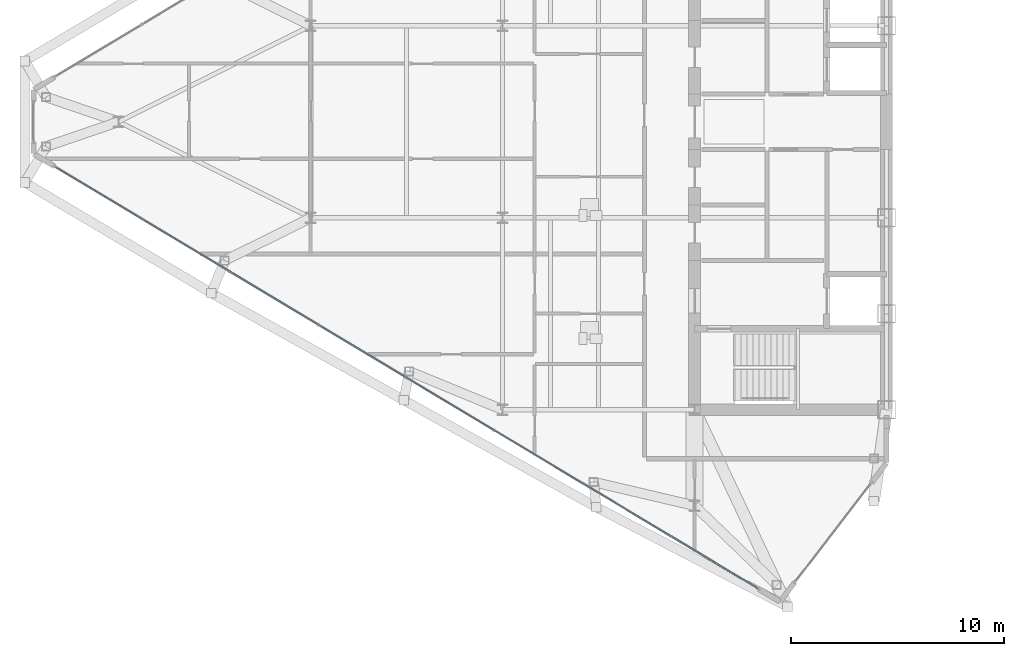
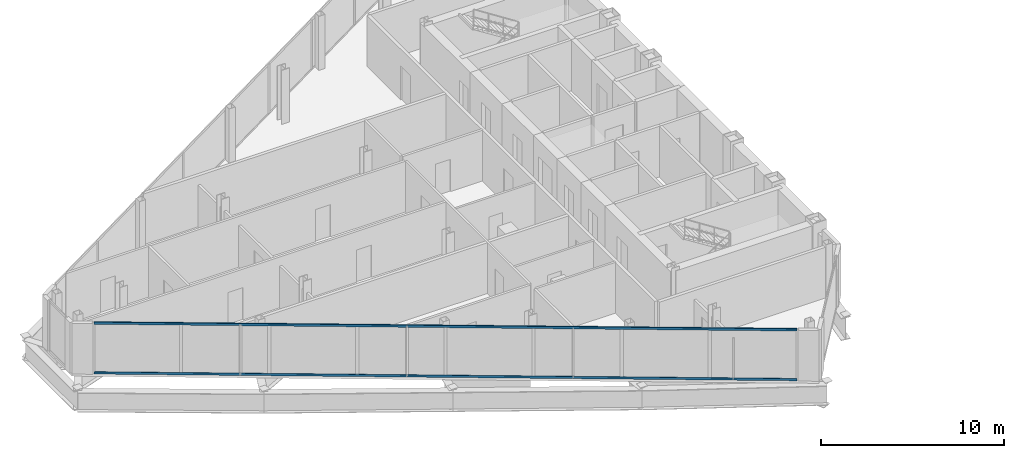
# One storey, part 6 of 29: 2 members, 1 element without a shape of its own.
"""IFC4 building model written with IfcOpenShell, lengths in metres."""

import ifcopenshell
import ifcopenshell.guid

model = None  # the IFC model being written
_history = None  # IfcOwnerHistory: only IFC2X3 demands one
_inside = {}  # id of a spatial element -> (the spatial element, [elements in it])
_under = {}  # id of a project, library or spatial element -> (it, [spatial elements below it])
_declared = {}  # id of a project -> (the project, [libraries it declares])
_typed = {}  # id of a type object -> (the type object, [elements of that type])
_made_of = {}  # id of a material, layer set ... -> (it, [elements and type objects made of it])


def new_model(schema):
    """Start an empty IFC model of exactly this schema.

    Asked for "IFC4X3", IfcOpenShell would pick the latest addendum, in which some entities
    have other attributes; the version numbers below select the first issue.
    IFC2X3 requires an IfcOwnerHistory on every rooted entity: one is made here for all.
    """
    global model, _history
    if schema == "IFC4X3":
        model = ifcopenshell.file(schema_version=(4, 3, 0, 0))
    else:
        model = ifcopenshell.file(schema=schema)
    _inside.clear()
    _under.clear()
    _declared.clear()
    _typed.clear()
    _made_of.clear()
    _history = None
    if model.schema == "IFC2X3":
        org = make("IfcOrganization", Name="unknown")
        user = make(
            "IfcPersonAndOrganization",
            ThePerson=make("IfcPerson", FamilyName="unknown"),
            TheOrganization=org,
        )
        app = make(
            "IfcApplication",
            ApplicationDeveloper=org,
            Version="unknown",
            ApplicationFullName="unknown",
            ApplicationIdentifier="unknown",
        )
        _history = make(
            "IfcOwnerHistory",
            OwningUser=user,
            OwningApplication=app,
            ChangeAction="ADDED",
            CreationDate=0,
        )
    return model


def make(cls, **values):
    """One entity of the class cls with the attributes given. An attribute that is None is left unset."""
    return model.create_entity(
        cls, **{name: value for name, value in values.items() if value is not None}
    )


def rooted(cls, **values):
    """An entity with a GlobalId (a new one), such as an element, a storey or a relation."""
    return make(cls, GlobalId=ifcopenshell.guid.new(), OwnerHistory=_history, **values)


def si_unit(unit_type, name, prefix=None):
    """IfcSIUnit, for example si_unit("LENGTHUNIT", "METRE", prefix="MILLI")."""
    return make("IfcSIUnit", UnitType=unit_type, Prefix=prefix, Name=name)


def assignment(units):
    """IfcUnitAssignment: the units of a project."""
    return None if units is None else make("IfcUnitAssignment", Units=units)


def point(xyz):
    """IfcCartesianPoint."""
    return None if xyz is None else make("IfcCartesianPoint", Coordinates=xyz)


def direction(xyz):
    """IfcDirection."""
    return None if xyz is None else make("IfcDirection", DirectionRatios=xyz)


def frame(location, z_axis=None, x_axis=None):
    """IfcAxis2Placement3D, a coordinate frame: its origin and axes. An axis left out is left unset."""
    return make(
        "IfcAxis2Placement3D",
        Location=point(location),
        Axis=direction(z_axis),
        RefDirection=direction(x_axis),
    )


def frame_2d(location, x_axis=None):
    """IfcAxis2Placement2D, a coordinate frame in the plane: its origin and x axis."""
    return make(
        "IfcAxis2Placement2D", Location=point(location), RefDirection=direction(x_axis)
    )


def origin():
    """The frame at (0, 0, 0) with its axes left unset."""
    return frame((0.0, 0.0, 0.0))


def origin_2d():
    """The frame at (0, 0) in the plane with its x axis left unset."""
    return frame_2d((0.0, 0.0))


def place(relative_to, where):
    """IfcLocalPlacement: puts the frame where relative to a parent placement (None: the world)."""
    return make(
        "IfcLocalPlacement", PlacementRelTo=relative_to, RelativePlacement=where
    )


def context(
    kind, dimensions, precision=None, world=None, true_north=None, identifier=None
):
    """IfcGeometricRepresentationContext, for example the 3D "Model" context."""
    return make(
        "IfcGeometricRepresentationContext",
        ContextIdentifier=identifier,
        ContextType=kind,
        CoordinateSpaceDimension=dimensions,
        Precision=precision,
        WorldCoordinateSystem=world,
        TrueNorth=true_north,
    )


def subcontext(parent, identifier, kind, view, scale=None):
    """IfcGeometricRepresentationSubContext, for example "Body" below "Model"."""
    return make(
        "IfcGeometricRepresentationSubContext",
        ContextIdentifier=identifier,
        ContextType=kind,
        ParentContext=parent,
        TargetScale=scale,
        TargetView=view,
    )


def project(units=None, contexts=None):
    """IfcProject with its units and contexts."""
    return rooted(
        "IfcProject",
        Name="project",
        RepresentationContexts=contexts,
        UnitsInContext=assignment(units),
    )


def spatial(cls, under=None, at=None, **own):
    """A site, building, storey or space (cls), placed at a placement, below another one or the project."""
    s = rooted(cls, ObjectPlacement=at, **own)
    if under is not None:
        _under.setdefault(under.id(), (under, []))[1].append(s)
    return s


def profile(cls, at=None, kind="AREA", **sizes):
    """A parametric profile (cls). Its sizes go by their IFC names, for example OverallWidth=200.0."""
    return make(cls, ProfileType=kind, Position=at, **sizes)


def rectangle(**sizes):
    """IfcRectangleProfileDef."""
    return profile("IfcRectangleProfileDef", **sizes)


def extrude(swept, where, along, depth):
    """IfcExtrudedAreaSolid: the profile swept, set in the frame where, extruded along a direction by depth."""
    return make(
        "IfcExtrudedAreaSolid",
        SweptArea=swept,
        Position=where,
        ExtrudedDirection=direction(along),
        Depth=depth,
    )


def shape(context_of_items, identifier, shape_type, items):
    """IfcShapeRepresentation: the items that make up one representation, for example the "Body"."""
    return make(
        "IfcShapeRepresentation",
        ContextOfItems=context_of_items,
        RepresentationIdentifier=identifier,
        RepresentationType=shape_type,
        Items=items,
    )


def source(mapping_origin, context_of_items, identifier, shape_type, items):
    """IfcRepresentationMap: a shape defined once, which mapped items show again and again."""
    return make(
        "IfcRepresentationMap",
        MappingOrigin=mapping_origin,
        MappedRepresentation=shape(context_of_items, identifier, shape_type, items),
    )


def transform(
    local_origin,
    x_axis=None,
    y_axis=None,
    z_axis=None,
    scale=None,
    scale2=None,
    scale3=None,
    uniform=True,
):
    """IfcCartesianTransformationOperator3D, or its non-uniform kind. x_axis, y_axis, z_axis: its Axis1, 2, 3."""
    if uniform:
        return make(
            "IfcCartesianTransformationOperator3D",
            Axis1=direction(x_axis),
            Axis2=direction(y_axis),
            LocalOrigin=point(local_origin),
            Scale=scale,
            Axis3=direction(z_axis),
        )
    return make(
        "IfcCartesianTransformationOperator3DnonUniform",
        Axis1=direction(x_axis),
        Axis2=direction(y_axis),
        LocalOrigin=point(local_origin),
        Scale=scale,
        Axis3=direction(z_axis),
        Scale2=scale2,
        Scale3=scale3,
    )


def mapped(mapping_source, mapping_target):
    """IfcMappedItem: shows the shape of a source again, moved by a transform."""
    return make(
        "IfcMappedItem", MappingSource=mapping_source, MappingTarget=mapping_target
    )


def material(Name=None, Category=None):
    """IfcMaterial."""
    return make("IfcMaterial", Name=Name, Category=Category)


def layer(
    of_material, thickness, ventilated=None, Name=None, Category=None, Priority=None
):
    """IfcMaterialLayer: one layer of a wall or slab, of a material (None: an air gap)."""
    return make(
        "IfcMaterialLayer",
        Material=of_material,
        LayerThickness=thickness,
        IsVentilated=ventilated,
        Name=Name,
        Category=Category,
        Priority=Priority,
    )


def layer_set(layers, Name=None):
    """IfcMaterialLayerSet."""
    return make("IfcMaterialLayerSet", MaterialLayers=layers, LayerSetName=Name)


def material_profile(
    of_material, cross_section, Name=None, Category=None, Priority=None
):
    """IfcMaterialProfile: a cross section and its material."""
    return make(
        "IfcMaterialProfile",
        Name=Name,
        Material=of_material,
        Profile=cross_section,
        Priority=Priority,
        Category=Category,
    )


def profile_set(profiles, Name=None, composite=None):
    """IfcMaterialProfileSet."""
    return make(
        "IfcMaterialProfileSet",
        Name=Name,
        MaterialProfiles=profiles,
        CompositeProfile=composite,
    )


def made_of(thing, what):
    """Note that an element or type object is made of a material, layer set ...; save() writes the relation."""
    if what is not None:
        _made_of.setdefault(what.id(), (what, []))[1].append(thing)
    return thing


def type_object(cls, material=None, **own):
    """A type object (cls), such as IfcWallType, which elements share."""
    return made_of(rooted(cls, **own), material)


def type_shapes(of_type, sources):
    """Give a type object the sources (RepresentationMaps) that its elements show as mapped items."""
    of_type.RepresentationMaps = sources


def element(
    cls,
    number,
    at=None,
    inside=None,
    cuts=None,
    type_object=None,
    material=None,
    context=None,
    identifier="Body",
    shape_type=None,
    held_by="IfcProductDefinitionShape",
    body=None,
    shapes=None,
    **own,
):
    """One element of the class cls, such as IfcWall. Its Tag is "e" and its number.

    at: its placement. inside: the storey or other place that contains it. cuts: it is an
    opening in that element (IfcRelVoidsElement). A single representation is given by context,
    identifier, shape_type and body (its items); several are given by shapes. held_by: the class
    of the entity that holds the representations. save() writes the other relations.
    """
    e = rooted(cls, Tag="e%d" % number, ObjectPlacement=at, **own)
    if body is not None:
        shapes = [shape(context, identifier, shape_type, body)]
    if shapes is not None:
        e.Representation = make(held_by, Representations=shapes)
    if inside is not None:
        _inside.setdefault(inside.id(), (inside, []))[1].append(e)
    if cuts is not None:
        rooted(
            "IfcRelVoidsElement", RelatingBuildingElement=cuts, RelatedOpeningElement=e
        )
    if type_object is not None:
        _typed.setdefault(type_object.id(), (type_object, []))[1].append(e)
    return made_of(e, material)


def aggregate(whole, parts):
    """IfcRelAggregates: a whole, such as a stair, and the parts it consists of."""
    return rooted("IfcRelAggregates", RelatingObject=whole, RelatedObjects=parts)


def save(model, path):
    """Write the relations noted so far, then the file.

    IfcRelAggregates (storeys below a building ...), IfcRelContainedInSpatialStructure (elements
    in a storey), IfcRelDefinesByType, IfcRelAssociatesMaterial and IfcRelDeclares: one each for
    every whole, place, type object, material and project.
    """
    for whole, parts in _under.values():
        aggregate(whole, parts)
    for where, things in _inside.values():
        rooted(
            "IfcRelContainedInSpatialStructure",
            RelatedElements=things,
            RelatingStructure=where,
        )
    for kind, things in _typed.values():
        rooted("IfcRelDefinesByType", RelatedObjects=things, RelatingType=kind)
    for what, things in _made_of.values():
        rooted("IfcRelAssociatesMaterial", RelatedObjects=things, RelatingMaterial=what)
    for by, libraries in _declared.values():
        rooted("IfcRelDeclares", RelatingContext=by, RelatedDefinitions=libraries)
    model.write(path)


model = new_model("IFC4")

# Units and contexts
model_context = context("Model", 3, precision=1e-05, world=origin(), true_north=direction((0.0, 1.0)))
body_context = subcontext(model_context, "Body", "Model", "MODEL_VIEW")
ifc_project = project(units=[si_unit("LENGTHUNIT", "METRE"), si_unit("AREAUNIT", "SQUARE_METRE"), si_unit("VOLUMEUNIT", "CUBIC_METRE"), si_unit("PLANEANGLEUNIT", "RADIAN"), si_unit("MASSUNIT", "GRAM", prefix="KILO")], contexts=[model_context])

# Site, building, storey
site_placement = place(None, origin())
site = spatial("IfcSite", under=ifc_project, at=site_placement, CompositionType="ELEMENT")
building_placement = place(site_placement, origin())
building = spatial("IfcBuilding", under=site, at=building_placement, Name="Seokmaru Belvedere", CompositionType="ELEMENT")
storey_placement = place(building_placement, frame((0.0, 0.0, 195.89990234375)))
storey = spatial("IfcBuildingStorey", under=building, at=storey_placement, Name="L52", CompositionType="ELEMENT", Elevation=195.89990234375)

# Curtain wall, members
ifc_material_1 = material(Name="Bronze Triple Insulating Glass", Category="glass")
ifc_layer = layer(ifc_material_1, 0.179931640625)
ifc_layer_set = layer_set([ifc_layer], Name="Bronze Triple Insulating Glass")
curtain_wall_type = type_object("IfcCurtainWallType", Name="High-Rise Wind-Corner Curtain Wall System CW-5", PredefinedType="NOTDEFINED", material=ifc_layer_set)
curtain_wall_placement = place(storey_placement, origin())
curtain_wall = element("IfcCurtainWall", 1, at=curtain_wall_placement, inside=storey, type_object=curtain_wall_type, Name="L52 Curtain Wall WF5", PredefinedType="NOTDEFINED")
ifc_material_2 = material(Name="Anodised Bronze Aluminium", Category="aluminium")
ifc_material_profile = material_profile(ifc_material_2, rectangle(XDim=0.06494140625, YDim=0.14990234375, at=origin_2d()), Name="CW-T-65x150")
ifc_profile_set = profile_set([ifc_material_profile], Name="Anodised Bronze Aluminium")
member_type = type_object("IfcMemberType", Name="Bronze Unitised Transom 65x150", PredefinedType="USERDEFINED", material=ifc_profile_set)
shared_shape = source(origin(), body_context, "Body", "SweptSolid", [
    extrude(rectangle(XDim=0.06494140625, YDim=0.14990234375, at=origin_2d()), origin(), (0.0, 0.0, 1.0), 38.386962890625),
])
type_shapes(member_type, [shared_shape])
member_1_placement = place(storey_placement, frame((-66.458251953125, -2.125, 0.03271484375), z_axis=(0.85749180336, -0.514497626011, 0.0), x_axis=(0.514497626011, 0.85749180336, 0.0)))
member_1 = element("IfcMember", 2, at=member_1_placement, type_object=member_type, Name="CW:L52:WF5 Continuous Transom 1", ObjectType="TRANSOM", PredefinedType="USERDEFINED", context=body_context, shape_type="MappedRepresentation", body=[
    mapped(shared_shape, transform((0.0, 0.0, 0.0), scale=1.0)),
])
member_2_placement = place(storey_placement, frame((-66.458251953125, -2.125, 3.34765625), z_axis=(0.85749180336, -0.514497626011, 0.0), x_axis=(0.514497626011, 0.85749180336, 0.0)))
member_2 = element("IfcMember", 3, at=member_2_placement, type_object=member_type, Name="CW:L52:WF5 Continuous Transom 2", ObjectType="TRANSOM", PredefinedType="USERDEFINED", context=body_context, shape_type="MappedRepresentation", body=[
    mapped(shared_shape, transform((0.0, 0.0, 0.0), scale=1.0)),
])
aggregate(curtain_wall, [member_1, member_2])

save(model, "model.ifc")
